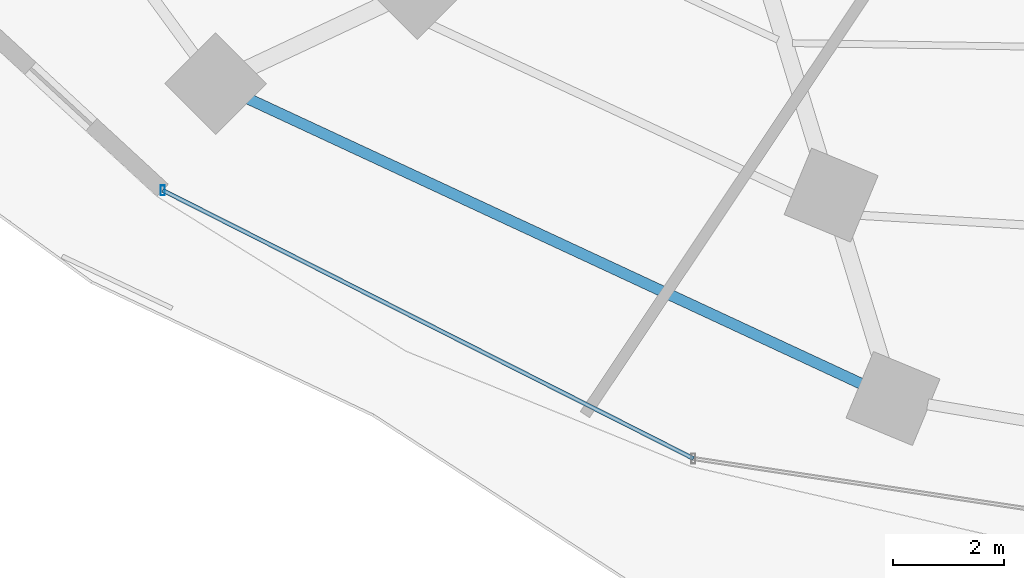
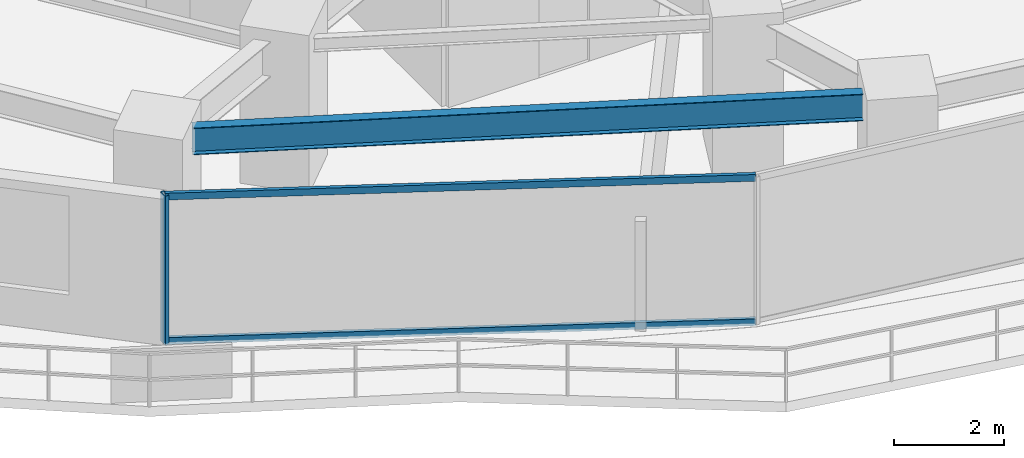
# One storey, part 2 of 33: 3 members, 1 beam, 1 element without a shape of its own.
"""IFC4 building model written with IfcOpenShell, lengths in metres."""

from ifc_helpers import new_model, si_unit, direction, frame, origin, origin_2d, place, context, subcontext, project, spatial, hollow_rectangle, i_section, extrude, material, material_profile, profile_set, type_object, element, aggregate, save


model = new_model("IFC4")

# Units and contexts
model_context = context("Model", 3, precision=1e-05, world=origin(), true_north=direction((0.0, 1.0)))
body_context = subcontext(model_context, "Body", "Model", "MODEL_VIEW")
ifc_project = project(units=[si_unit("LENGTHUNIT", "METRE"), si_unit("AREAUNIT", "SQUARE_METRE"), si_unit("VOLUMEUNIT", "CUBIC_METRE"), si_unit("PLANEANGLEUNIT", "RADIAN"), si_unit("MASSUNIT", "GRAM", prefix="KILO")], contexts=[model_context])

# Site, building, storey
site_placement = place(None, origin())
site = spatial("IfcSite", under=ifc_project, at=site_placement, CompositionType="ELEMENT")
building_placement = place(site_placement, origin())
building = spatial("IfcBuilding", under=site, at=building_placement, Name="Vorneva Point Tower", CompositionType="ELEMENT")
storey_placement = place(building_placement, frame((0.0, 0.0, 34.5)))
storey = spatial("IfcBuildingStorey", under=building, at=storey_placement, Name="L08", CompositionType="ELEMENT", Elevation=34.5)

# Beam
ifc_material_1 = material(Name="Steel S355", Category="steel")
ifc_material_profile_1 = material_profile(ifc_material_1, i_section(OverallWidth=0.198974609375, OverallDepth=0.595947265625, WebThickness=0.010009765625, FlangeThickness=0.014892578125, at=origin_2d()), Name="60B1")
ifc_profile_set_1 = profile_set([ifc_material_profile_1], Name="Steel S355")
beam_type = type_object("IfcBeamType", Name="BM-SPN-60B1", PredefinedType="SPANDREL", material=ifc_profile_set_1)
beam_placement = place(storey_placement, frame((18.63720703125, 11.8564453125, 2.94189453125), z_axis=(0.906776698196, -0.421611218551, 0.0), x_axis=(0.421611218551, 0.906776698196, 0.0)))
element("IfcBeam", 1, at=beam_placement, inside=storey, type_object=beam_type, Name="L08 Perimeter Spandrel Ring Beam 11", PredefinedType="SPANDREL", context=body_context, shape_type="SweptSolid", body=[
    extrude(i_section(OverallWidth=0.198974609375, OverallDepth=0.595947265625, WebThickness=0.010009765625, FlangeThickness=0.014892578125, at=origin_2d()), origin(), (0.0, 0.0, 1.0), 12.223388671875),
])

# Curtain wall, members
ifc_material_2 = material(Name="Pale anodised aluminium", Category="aluminium")
curtain_wall_type = type_object("IfcCurtainWallType", Name="CW-HTL-SYS", PredefinedType="NOTDEFINED", material=ifc_material_2)
curtain_wall_placement = place(storey_placement, origin())
curtain_wall = element("IfcCurtainWall", 2, at=curtain_wall_placement, inside=storey, type_object=curtain_wall_type, Name="L08 Unitised Curtain Wall CW-L08-R04", PredefinedType="NOTDEFINED")
ifc_material_profile_2 = material_profile(ifc_material_2, hollow_rectangle(XDim=0.074951171875, YDim=0.179931640625, WallThickness=0.00390625, at=origin_2d()), Name="AL-MUL 180x75x4")
ifc_profile_set_2 = profile_set([ifc_material_profile_2], Name="Pale anodised aluminium")
member_type_1 = type_object("IfcMemberType", Name="CW-MUL-180", PredefinedType="MULLION", material=ifc_profile_set_2)
member_1_placement = place(storey_placement, frame((17.10498046875, 10.1962890625, -0.0400390625), z_axis=(0.0, 0.0, 1.0), x_axis=(1.0, 0.0, 0.0)))
member_1 = element("IfcMember", 3, at=member_1_placement, type_object=member_type_1, Name="CW-L08-R04 Mullion 01", PredefinedType="MULLION", context=body_context, shape_type="SweptSolid", body=[
    extrude(hollow_rectangle(XDim=0.074951171875, YDim=0.179931640625, WallThickness=0.00390625, at=origin_2d()), origin(), (0.0, 0.0, 1.0), 3.31005859375),
])
ifc_material_profile_3 = material_profile(ifc_material_2, hollow_rectangle(XDim=0.074951171875, YDim=0.14990234375, WallThickness=0.00390625, at=origin_2d()), Name="AL-TRN 150x75x4")
ifc_profile_set_3 = profile_set([ifc_material_profile_3], Name="Pale anodised aluminium")
member_type_2 = type_object("IfcMemberType", Name="CW-TRN-150", PredefinedType="USERDEFINED", material=ifc_profile_set_3)
member_2_placement = place(storey_placement, frame((17.10498046875, 10.1962890625, 0.02001953125), z_axis=(0.892496057621, -0.451055192999, 0.0), x_axis=(0.451055192999, 0.892496057621, 0.0)))
member_2 = element("IfcMember", 4, at=member_2_placement, type_object=member_type_2, Name="CW-L08-R04 Transom 01.1", ObjectType="TRANSOM", PredefinedType="USERDEFINED", context=body_context, shape_type="SweptSolid", body=[
    extrude(hollow_rectangle(XDim=0.074951171875, YDim=0.14990234375, WallThickness=0.00390625, at=origin_2d()), origin(), (0.0, 0.0, 1.0), 10.741455078125),
])
member_3_placement = place(storey_placement, frame((17.10498046875, 10.1962890625, 3.219970703125), z_axis=(0.892496057621, -0.451055192999, 0.0), x_axis=(0.451055192999, 0.892496057621, 0.0)))
member_3 = element("IfcMember", 5, at=member_3_placement, type_object=member_type_2, Name="CW-L08-R04 Transom 01.2", ObjectType="TRANSOM", PredefinedType="USERDEFINED", context=body_context, shape_type="SweptSolid", body=[
    extrude(hollow_rectangle(XDim=0.074951171875, YDim=0.14990234375, WallThickness=0.00390625, at=origin_2d()), origin(), (0.0, 0.0, 1.0), 10.741455078125),
])
aggregate(curtain_wall, [member_1, member_2, member_3])

save(model, "model.ifc")
